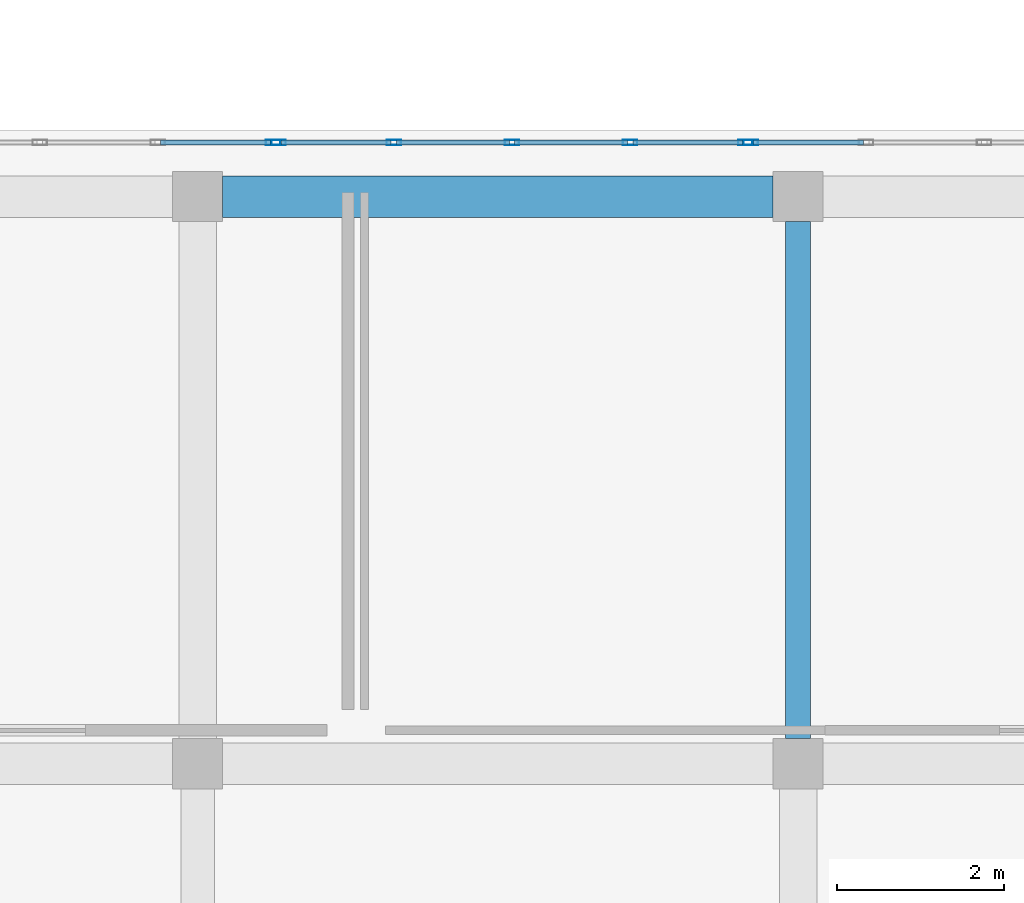
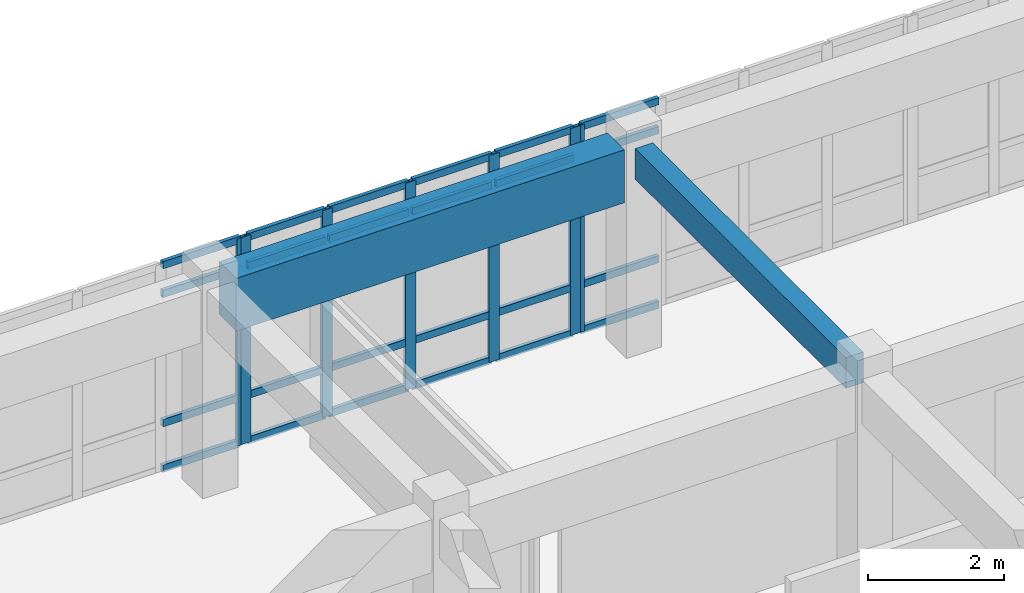
# One storey, part 10 of 52: 31 members, 2 beams, 3 elements without a shape of their own.
"""IFC4 building model written with IfcOpenShell, lengths in metres."""

from ifc_helpers import new_model, si_unit, direction, frame, origin, origin_2d, place, context, subcontext, project, spatial, rectangle, hollow_rectangle, extrude, material, layer, layer_set, material_profile, profile_set, type_object, element, aggregate, save


model = new_model("IFC4")

# Units and contexts
model_context = context("Model", 3, precision=1e-05, world=origin(), true_north=direction((0.0, 1.0)))
body_context = subcontext(model_context, "Body", "Model", "MODEL_VIEW")
ifc_project = project(units=[si_unit("LENGTHUNIT", "METRE"), si_unit("AREAUNIT", "SQUARE_METRE"), si_unit("VOLUMEUNIT", "CUBIC_METRE"), si_unit("PLANEANGLEUNIT", "RADIAN"), si_unit("MASSUNIT", "GRAM", prefix="KILO")], contexts=[model_context])

# Site, building, storey
site_placement = place(None, origin())
site = spatial("IfcSite", under=ifc_project, at=site_placement, CompositionType="ELEMENT")
building_placement = place(site_placement, origin())
building = spatial("IfcBuilding", under=site, at=building_placement, Name="Valcora Specialist Clinic", CompositionType="ELEMENT")
storey_placement = place(building_placement, frame((0.0, 0.0, 17.679931640625)))
storey = spatial("IfcBuildingStorey", under=building, at=storey_placement, Name="L04", CompositionType="ELEMENT", Elevation=17.679931640625)

# Beams
ifc_material_1 = material(Name="Concrete C40/50", Category="concrete")
ifc_material_profile_1 = material_profile(ifc_material_1, rectangle(XDim=0.300048828125, YDim=0.550048828125, at=origin_2d()), Name="RC-BM-300X550")
ifc_profile_set_1 = profile_set([ifc_material_profile_1], Name="Concrete C40/50")
beam_type_1 = type_object("IfcBeamType", Name="TY-BM-RC300X550", PredefinedType="BEAM", material=ifc_profile_set_1)
beam_1_placement = place(storey_placement, frame((23.39990234375, 15.5, 3.445068359375), z_axis=(0.0, 1.0, 0.0), x_axis=(-1.0, 0.0, 0.0)))
element("IfcBeam", 1, at=beam_1_placement, inside=storey, type_object=beam_type_1, Name="Beam BM-L04-1103", PredefinedType="BEAM", context=body_context, shape_type="SweptSolid", body=[
    extrude(rectangle(XDim=0.300048828125, YDim=0.550048828125, at=origin_2d()), origin(), (0.0, 0.0, 1.0), 6.199951171875),
])
ifc_material_profile_2 = material_profile(ifc_material_1, rectangle(XDim=0.5, YDim=0.949951171875, at=origin_2d()), Name="RC-BM-500X950")
ifc_profile_set_2 = profile_set([ifc_material_profile_2], Name="Concrete C40/50")
beam_type_2 = type_object("IfcBeamType", Name="TY-BM-TR500X950", PredefinedType="BEAM", material=ifc_profile_set_2)
beam_2_placement = place(storey_placement, frame((16.5, 22.0, 3.2451171875), z_axis=(1.0, 0.0, 0.0), x_axis=(0.0, 1.0, 0.0)))
element("IfcBeam", 2, at=beam_2_placement, inside=storey, type_object=beam_type_2, Name="Beam BM-L04-1091", PredefinedType="BEAM", context=body_context, shape_type="SweptSolid", body=[
    extrude(rectangle(XDim=0.5, YDim=0.949951171875, at=origin_2d()), origin(), (0.0, 0.0, 1.0), 6.60009765625),
])

# Curtain wall, member
ifc_material_2 = material(Name="Anodized Bronze Aluminium 6063-T6", Category="aluminium")
ifc_layer = layer(ifc_material_2, 0.175048828125)
ifc_layer_set = layer_set([ifc_layer], Name="Anodized Bronze Aluminium 6063-T6")
curtain_wall_type = type_object("IfcCurtainWallType", Name="TY-CW-V5F15", PredefinedType="NOTDEFINED", material=ifc_layer_set)
curtain_wall_1_placement = place(storey_placement, origin())
curtain_wall_1 = element("IfcCurtainWall", 3, at=curtain_wall_1_placement, inside=storey, type_object=curtain_wall_type, Name="Curtain wall CW-L04-169", PredefinedType="NOTDEFINED")
ifc_material_profile_3 = material_profile(ifc_material_2, hollow_rectangle(XDim=0.06494140625, YDim=0.175048828125, WallThickness=0.00390625, at=origin_2d()), Name="AL-MUL-65X175")
ifc_profile_set_3 = profile_set([ifc_material_profile_3], Name="Anodized Bronze Aluminium 6063-T6")
member_type_1 = type_object("IfcMemberType", Name="TY-CWM-65X175", PredefinedType="MULLION", material=ifc_profile_set_3)
member_1_placement = place(storey_placement, frame((17.10498046875, 22.64990234375, 0.0), z_axis=(0.0, 0.0, 1.0), x_axis=(0.0, 1.0, 0.0)))
member_1 = element("IfcMember", 4, at=member_1_placement, type_object=member_type_1, Name="CW-V5F-15 mullion 5", PredefinedType="MULLION", context=body_context, shape_type="SweptSolid", body=[
    extrude(hollow_rectangle(XDim=0.06494140625, YDim=0.175048828125, WallThickness=0.00390625, at=origin_2d()), origin(), (0.0, 0.0, 1.0), 3.719970703125),
])

# Curtain wall, members
curtain_wall_2_placement = place(storey_placement, origin())
curtain_wall_2 = element("IfcCurtainWall", 5, at=curtain_wall_2_placement, inside=storey, type_object=curtain_wall_type, Name="Curtain wall CW-L04-170", PredefinedType="NOTDEFINED")
member_2_placement = place(storey_placement, frame((17.169921875, 22.64990234375, 0.0), z_axis=(0.0, 0.0, 1.0), x_axis=(0.0, 1.0, 0.0)))
member_2 = element("IfcMember", 6, at=member_2_placement, type_object=member_type_1, Name="CW-V5F-15 mullion 1", PredefinedType="MULLION", context=body_context, shape_type="SweptSolid", body=[
    extrude(hollow_rectangle(XDim=0.06494140625, YDim=0.175048828125, WallThickness=0.00390625, at=origin_2d()), origin(), (0.0, 0.0, 1.0), 3.719970703125),
])
member_3_placement = place(storey_placement, frame((18.55322265625, 22.64990234375, 0.0), z_axis=(0.0, 0.0, 1.0), x_axis=(0.0, 1.0, 0.0)))
member_3 = element("IfcMember", 7, at=member_3_placement, type_object=member_type_1, Name="CW-V5F-15 mullion 2", PredefinedType="MULLION", context=body_context, shape_type="SweptSolid", body=[
    extrude(hollow_rectangle(XDim=0.06494140625, YDim=0.175048828125, WallThickness=0.00390625, at=origin_2d()), origin(), (0.0, 0.0, 1.0), 3.719970703125),
])
member_4_placement = place(storey_placement, frame((19.96875, 22.64990234375, 0.0), z_axis=(0.0, 0.0, 1.0), x_axis=(0.0, 1.0, 0.0)))
member_4 = element("IfcMember", 8, at=member_4_placement, type_object=member_type_1, Name="CW-V5F-15 mullion 3", PredefinedType="MULLION", context=body_context, shape_type="SweptSolid", body=[
    extrude(hollow_rectangle(XDim=0.06494140625, YDim=0.175048828125, WallThickness=0.00390625, at=origin_2d()), origin(), (0.0, 0.0, 1.0), 3.719970703125),
])
member_5_placement = place(storey_placement, frame((21.38427734375, 22.64990234375, 0.0), z_axis=(0.0, 0.0, 1.0), x_axis=(0.0, 1.0, 0.0)))
member_5 = element("IfcMember", 9, at=member_5_placement, type_object=member_type_1, Name="CW-V5F-15 mullion 4", PredefinedType="MULLION", context=body_context, shape_type="SweptSolid", body=[
    extrude(hollow_rectangle(XDim=0.06494140625, YDim=0.175048828125, WallThickness=0.00390625, at=origin_2d()), origin(), (0.0, 0.0, 1.0), 3.719970703125),
])
member_6_placement = place(storey_placement, frame((22.767578125, 22.64990234375, 0.0), z_axis=(0.0, 0.0, 1.0), x_axis=(0.0, 1.0, 0.0)))
member_6 = element("IfcMember", 10, at=member_6_placement, type_object=member_type_1, Name="CW-V5F-15 mullion 5", PredefinedType="MULLION", context=body_context, shape_type="SweptSolid", body=[
    extrude(hollow_rectangle(XDim=0.06494140625, YDim=0.175048828125, WallThickness=0.00390625, at=origin_2d()), origin(), (0.0, 0.0, 1.0), 3.719970703125),
])

# Curtain wall, member
curtain_wall_3_placement = place(storey_placement, origin())
curtain_wall_3 = element("IfcCurtainWall", 11, at=curtain_wall_3_placement, inside=storey, type_object=curtain_wall_type, Name="Curtain wall CW-L04-171", PredefinedType="NOTDEFINED")
member_7_placement = place(storey_placement, frame((22.83251953125, 22.64990234375, 0.0), z_axis=(0.0, 0.0, 1.0), x_axis=(0.0, 1.0, 0.0)))
member_7 = element("IfcMember", 12, at=member_7_placement, type_object=member_type_1, Name="CW-V5F-15 mullion 1", PredefinedType="MULLION", context=body_context, shape_type="SweptSolid", body=[
    extrude(hollow_rectangle(XDim=0.06494140625, YDim=0.175048828125, WallThickness=0.00390625, at=origin_2d()), origin(), (0.0, 0.0, 1.0), 3.719970703125),
])

# Member
ifc_material_profile_4 = material_profile(ifc_material_2, hollow_rectangle(XDim=0.06494140625, YDim=0.1298828125, WallThickness=0.00390625, at=origin_2d()), Name="AL-TRN-65X130")
ifc_profile_set_4 = profile_set([ifc_material_profile_4], Name="Anodized Bronze Aluminium 6063-T6")
member_type_2 = type_object("IfcMemberType", Name="TY-CWT-65X130", PredefinedType="USERDEFINED", material=ifc_profile_set_4)
member_8_placement = place(storey_placement, frame((15.75439453125, 22.64990234375, 0.032470703125), z_axis=(1.0, 0.0, 0.0), x_axis=(0.0, 1.0, 0.0)))
member_8 = element("IfcMember", 13, at=member_8_placement, type_object=member_type_2, Name="CW-V5F-15 transom 4.1", ObjectType="TRANSOM", PredefinedType="USERDEFINED", context=body_context, shape_type="SweptSolid", body=[
    extrude(hollow_rectangle(XDim=0.06494140625, YDim=0.1298828125, WallThickness=0.00390625, at=origin_2d()), origin(), (0.0, 0.0, 1.0), 1.318115234375),
])

member_9_placement = place(storey_placement, frame((15.75439453125, 22.64990234375, 0.85009765625), z_axis=(1.0, 0.0, 0.0), x_axis=(0.0, 1.0, 0.0)))
member_9 = element("IfcMember", 14, at=member_9_placement, type_object=member_type_2, Name="CW-V5F-15 transom 4.2", ObjectType="TRANSOM", PredefinedType="USERDEFINED", context=body_context, shape_type="SweptSolid", body=[
    extrude(hollow_rectangle(XDim=0.06494140625, YDim=0.1298828125, WallThickness=0.00390625, at=origin_2d()), origin(), (0.0, 0.0, 1.0), 1.318115234375),
])

member_10_placement = place(storey_placement, frame((15.75439453125, 22.64990234375, 3.170166015625), z_axis=(1.0, 0.0, 0.0), x_axis=(0.0, 1.0, 0.0)))
member_10 = element("IfcMember", 15, at=member_10_placement, type_object=member_type_2, Name="CW-V5F-15 transom 4.3", ObjectType="TRANSOM", PredefinedType="USERDEFINED", context=body_context, shape_type="SweptSolid", body=[
    extrude(hollow_rectangle(XDim=0.06494140625, YDim=0.1298828125, WallThickness=0.00390625, at=origin_2d()), origin(), (0.0, 0.0, 1.0), 1.318115234375),
])

member_11_placement = place(storey_placement, frame((15.75439453125, 22.64990234375, 3.6875), z_axis=(1.0, 0.0, 0.0), x_axis=(0.0, 1.0, 0.0)))
member_11 = element("IfcMember", 16, at=member_11_placement, type_object=member_type_2, Name="CW-V5F-15 transom 4.4", ObjectType="TRANSOM", PredefinedType="USERDEFINED", context=body_context, shape_type="SweptSolid", body=[
    extrude(hollow_rectangle(XDim=0.06494140625, YDim=0.1298828125, WallThickness=0.00390625, at=origin_2d()), origin(), (0.0, 0.0, 1.0), 1.318115234375),
])

aggregate(curtain_wall_1, [member_1, member_8, member_9, member_10, member_11])

member_12_placement = place(storey_placement, frame((17.202392578125, 22.64990234375, 0.032470703125), z_axis=(1.0, 0.0, 0.0), x_axis=(0.0, 1.0, 0.0)))
member_12 = element("IfcMember", 17, at=member_12_placement, type_object=member_type_2, Name="CW-V5F-15 transom 1.1", ObjectType="TRANSOM", PredefinedType="USERDEFINED", context=body_context, shape_type="SweptSolid", body=[
    extrude(hollow_rectangle(XDim=0.06494140625, YDim=0.1298828125, WallThickness=0.00390625, at=origin_2d()), origin(), (0.0, 0.0, 1.0), 1.318115234375),
])

member_13_placement = place(storey_placement, frame((17.202392578125, 22.64990234375, 0.85009765625), z_axis=(1.0, 0.0, 0.0), x_axis=(0.0, 1.0, 0.0)))
member_13 = element("IfcMember", 18, at=member_13_placement, type_object=member_type_2, Name="CW-V5F-15 transom 1.2", ObjectType="TRANSOM", PredefinedType="USERDEFINED", context=body_context, shape_type="SweptSolid", body=[
    extrude(hollow_rectangle(XDim=0.06494140625, YDim=0.1298828125, WallThickness=0.00390625, at=origin_2d()), origin(), (0.0, 0.0, 1.0), 1.318115234375),
])

member_14_placement = place(storey_placement, frame((17.202392578125, 22.64990234375, 3.170166015625), z_axis=(1.0, 0.0, 0.0), x_axis=(0.0, 1.0, 0.0)))
member_14 = element("IfcMember", 19, at=member_14_placement, type_object=member_type_2, Name="CW-V5F-15 transom 1.3", ObjectType="TRANSOM", PredefinedType="USERDEFINED", context=body_context, shape_type="SweptSolid", body=[
    extrude(hollow_rectangle(XDim=0.06494140625, YDim=0.1298828125, WallThickness=0.00390625, at=origin_2d()), origin(), (0.0, 0.0, 1.0), 1.318115234375),
])

member_15_placement = place(storey_placement, frame((17.202392578125, 22.64990234375, 3.6875), z_axis=(1.0, 0.0, 0.0), x_axis=(0.0, 1.0, 0.0)))
member_15 = element("IfcMember", 20, at=member_15_placement, type_object=member_type_2, Name="CW-V5F-15 transom 1.4", ObjectType="TRANSOM", PredefinedType="USERDEFINED", context=body_context, shape_type="SweptSolid", body=[
    extrude(hollow_rectangle(XDim=0.06494140625, YDim=0.1298828125, WallThickness=0.00390625, at=origin_2d()), origin(), (0.0, 0.0, 1.0), 1.318115234375),
])

member_16_placement = place(storey_placement, frame((18.585693359375, 22.64990234375, 0.032470703125), z_axis=(1.0, 0.0, 0.0), x_axis=(0.0, 1.0, 0.0)))
member_16 = element("IfcMember", 21, at=member_16_placement, type_object=member_type_2, Name="CW-V5F-15 transom 2.1", ObjectType="TRANSOM", PredefinedType="USERDEFINED", context=body_context, shape_type="SweptSolid", body=[
    extrude(hollow_rectangle(XDim=0.06494140625, YDim=0.1298828125, WallThickness=0.00390625, at=origin_2d()), origin(), (0.0, 0.0, 1.0), 1.3505859375),
])

member_17_placement = place(storey_placement, frame((18.585693359375, 22.64990234375, 0.85009765625), z_axis=(1.0, 0.0, 0.0), x_axis=(0.0, 1.0, 0.0)))
member_17 = element("IfcMember", 22, at=member_17_placement, type_object=member_type_2, Name="CW-V5F-15 transom 2.2", ObjectType="TRANSOM", PredefinedType="USERDEFINED", context=body_context, shape_type="SweptSolid", body=[
    extrude(hollow_rectangle(XDim=0.06494140625, YDim=0.1298828125, WallThickness=0.00390625, at=origin_2d()), origin(), (0.0, 0.0, 1.0), 1.3505859375),
])

member_18_placement = place(storey_placement, frame((18.585693359375, 22.64990234375, 3.170166015625), z_axis=(1.0, 0.0, 0.0), x_axis=(0.0, 1.0, 0.0)))
member_18 = element("IfcMember", 23, at=member_18_placement, type_object=member_type_2, Name="CW-V5F-15 transom 2.3", ObjectType="TRANSOM", PredefinedType="USERDEFINED", context=body_context, shape_type="SweptSolid", body=[
    extrude(hollow_rectangle(XDim=0.06494140625, YDim=0.1298828125, WallThickness=0.00390625, at=origin_2d()), origin(), (0.0, 0.0, 1.0), 1.3505859375),
])

member_19_placement = place(storey_placement, frame((18.585693359375, 22.64990234375, 3.6875), z_axis=(1.0, 0.0, 0.0), x_axis=(0.0, 1.0, 0.0)))
member_19 = element("IfcMember", 24, at=member_19_placement, type_object=member_type_2, Name="CW-V5F-15 transom 2.4", ObjectType="TRANSOM", PredefinedType="USERDEFINED", context=body_context, shape_type="SweptSolid", body=[
    extrude(hollow_rectangle(XDim=0.06494140625, YDim=0.1298828125, WallThickness=0.00390625, at=origin_2d()), origin(), (0.0, 0.0, 1.0), 1.3505859375),
])

member_20_placement = place(storey_placement, frame((20.001220703125, 22.64990234375, 0.032470703125), z_axis=(1.0, 0.0, 0.0), x_axis=(0.0, 1.0, 0.0)))
member_20 = element("IfcMember", 25, at=member_20_placement, type_object=member_type_2, Name="CW-V5F-15 transom 3.1", ObjectType="TRANSOM", PredefinedType="USERDEFINED", context=body_context, shape_type="SweptSolid", body=[
    extrude(hollow_rectangle(XDim=0.06494140625, YDim=0.1298828125, WallThickness=0.00390625, at=origin_2d()), origin(), (0.0, 0.0, 1.0), 1.3505859375),
])

member_21_placement = place(storey_placement, frame((20.001220703125, 22.64990234375, 0.85009765625), z_axis=(1.0, 0.0, 0.0), x_axis=(0.0, 1.0, 0.0)))
member_21 = element("IfcMember", 26, at=member_21_placement, type_object=member_type_2, Name="CW-V5F-15 transom 3.2", ObjectType="TRANSOM", PredefinedType="USERDEFINED", context=body_context, shape_type="SweptSolid", body=[
    extrude(hollow_rectangle(XDim=0.06494140625, YDim=0.1298828125, WallThickness=0.00390625, at=origin_2d()), origin(), (0.0, 0.0, 1.0), 1.3505859375),
])

member_22_placement = place(storey_placement, frame((20.001220703125, 22.64990234375, 3.170166015625), z_axis=(1.0, 0.0, 0.0), x_axis=(0.0, 1.0, 0.0)))
member_22 = element("IfcMember", 27, at=member_22_placement, type_object=member_type_2, Name="CW-V5F-15 transom 3.3", ObjectType="TRANSOM", PredefinedType="USERDEFINED", context=body_context, shape_type="SweptSolid", body=[
    extrude(hollow_rectangle(XDim=0.06494140625, YDim=0.1298828125, WallThickness=0.00390625, at=origin_2d()), origin(), (0.0, 0.0, 1.0), 1.3505859375),
])

member_23_placement = place(storey_placement, frame((20.001220703125, 22.64990234375, 3.6875), z_axis=(1.0, 0.0, 0.0), x_axis=(0.0, 1.0, 0.0)))
member_23 = element("IfcMember", 28, at=member_23_placement, type_object=member_type_2, Name="CW-V5F-15 transom 3.4", ObjectType="TRANSOM", PredefinedType="USERDEFINED", context=body_context, shape_type="SweptSolid", body=[
    extrude(hollow_rectangle(XDim=0.06494140625, YDim=0.1298828125, WallThickness=0.00390625, at=origin_2d()), origin(), (0.0, 0.0, 1.0), 1.3505859375),
])

member_24_placement = place(storey_placement, frame((21.4169921875, 22.64990234375, 0.032470703125), z_axis=(1.0, 0.0, 0.0), x_axis=(0.0, 1.0, 0.0)))
member_24 = element("IfcMember", 29, at=member_24_placement, type_object=member_type_2, Name="CW-V5F-15 transom 4.1", ObjectType="TRANSOM", PredefinedType="USERDEFINED", context=body_context, shape_type="SweptSolid", body=[
    extrude(hollow_rectangle(XDim=0.06494140625, YDim=0.1298828125, WallThickness=0.00390625, at=origin_2d()), origin(), (0.0, 0.0, 1.0), 1.318115234375),
])

member_25_placement = place(storey_placement, frame((21.4169921875, 22.64990234375, 0.85009765625), z_axis=(1.0, 0.0, 0.0), x_axis=(0.0, 1.0, 0.0)))
member_25 = element("IfcMember", 30, at=member_25_placement, type_object=member_type_2, Name="CW-V5F-15 transom 4.2", ObjectType="TRANSOM", PredefinedType="USERDEFINED", context=body_context, shape_type="SweptSolid", body=[
    extrude(hollow_rectangle(XDim=0.06494140625, YDim=0.1298828125, WallThickness=0.00390625, at=origin_2d()), origin(), (0.0, 0.0, 1.0), 1.318115234375),
])

member_26_placement = place(storey_placement, frame((21.4169921875, 22.64990234375, 3.170166015625), z_axis=(1.0, 0.0, 0.0), x_axis=(0.0, 1.0, 0.0)))
member_26 = element("IfcMember", 31, at=member_26_placement, type_object=member_type_2, Name="CW-V5F-15 transom 4.3", ObjectType="TRANSOM", PredefinedType="USERDEFINED", context=body_context, shape_type="SweptSolid", body=[
    extrude(hollow_rectangle(XDim=0.06494140625, YDim=0.1298828125, WallThickness=0.00390625, at=origin_2d()), origin(), (0.0, 0.0, 1.0), 1.318115234375),
])

member_27_placement = place(storey_placement, frame((21.4169921875, 22.64990234375, 3.6875), z_axis=(1.0, 0.0, 0.0), x_axis=(0.0, 1.0, 0.0)))
member_27 = element("IfcMember", 32, at=member_27_placement, type_object=member_type_2, Name="CW-V5F-15 transom 4.4", ObjectType="TRANSOM", PredefinedType="USERDEFINED", context=body_context, shape_type="SweptSolid", body=[
    extrude(hollow_rectangle(XDim=0.06494140625, YDim=0.1298828125, WallThickness=0.00390625, at=origin_2d()), origin(), (0.0, 0.0, 1.0), 1.318115234375),
])

aggregate(curtain_wall_2, [member_2, member_3, member_4, member_5, member_6, member_12, member_13, member_14, member_15, member_16, member_17, member_18, member_19, member_20, member_21, member_22, member_23, member_24, member_25, member_26, member_27])

member_28_placement = place(storey_placement, frame((22.864990234375, 22.64990234375, 0.032470703125), z_axis=(1.0, 0.0, 0.0), x_axis=(0.0, 1.0, 0.0)))
member_28 = element("IfcMember", 33, at=member_28_placement, type_object=member_type_2, Name="CW-V5F-15 transom 1.1", ObjectType="TRANSOM", PredefinedType="USERDEFINED", context=body_context, shape_type="SweptSolid", body=[
    extrude(hollow_rectangle(XDim=0.06494140625, YDim=0.1298828125, WallThickness=0.00390625, at=origin_2d()), origin(), (0.0, 0.0, 1.0), 1.318115234375),
])

member_29_placement = place(storey_placement, frame((22.864990234375, 22.64990234375, 0.85009765625), z_axis=(1.0, 0.0, 0.0), x_axis=(0.0, 1.0, 0.0)))
member_29 = element("IfcMember", 34, at=member_29_placement, type_object=member_type_2, Name="CW-V5F-15 transom 1.2", ObjectType="TRANSOM", PredefinedType="USERDEFINED", context=body_context, shape_type="SweptSolid", body=[
    extrude(hollow_rectangle(XDim=0.06494140625, YDim=0.1298828125, WallThickness=0.00390625, at=origin_2d()), origin(), (0.0, 0.0, 1.0), 1.318115234375),
])

member_30_placement = place(storey_placement, frame((22.864990234375, 22.64990234375, 3.170166015625), z_axis=(1.0, 0.0, 0.0), x_axis=(0.0, 1.0, 0.0)))
member_30 = element("IfcMember", 35, at=member_30_placement, type_object=member_type_2, Name="CW-V5F-15 transom 1.3", ObjectType="TRANSOM", PredefinedType="USERDEFINED", context=body_context, shape_type="SweptSolid", body=[
    extrude(hollow_rectangle(XDim=0.06494140625, YDim=0.1298828125, WallThickness=0.00390625, at=origin_2d()), origin(), (0.0, 0.0, 1.0), 1.318115234375),
])

member_31_placement = place(storey_placement, frame((22.864990234375, 22.64990234375, 3.6875), z_axis=(1.0, 0.0, 0.0), x_axis=(0.0, 1.0, 0.0)))
member_31 = element("IfcMember", 36, at=member_31_placement, type_object=member_type_2, Name="CW-V5F-15 transom 1.4", ObjectType="TRANSOM", PredefinedType="USERDEFINED", context=body_context, shape_type="SweptSolid", body=[
    extrude(hollow_rectangle(XDim=0.06494140625, YDim=0.1298828125, WallThickness=0.00390625, at=origin_2d()), origin(), (0.0, 0.0, 1.0), 1.318115234375),
])

aggregate(curtain_wall_3, [member_7, member_28, member_29, member_30, member_31])

save(model, "model.ifc")
